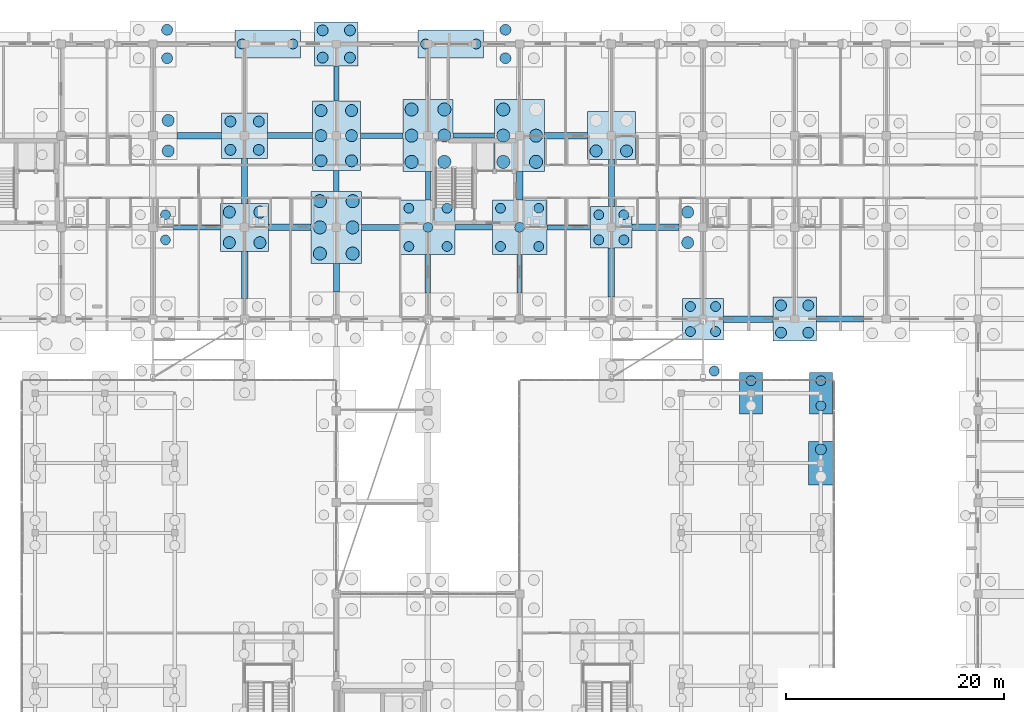
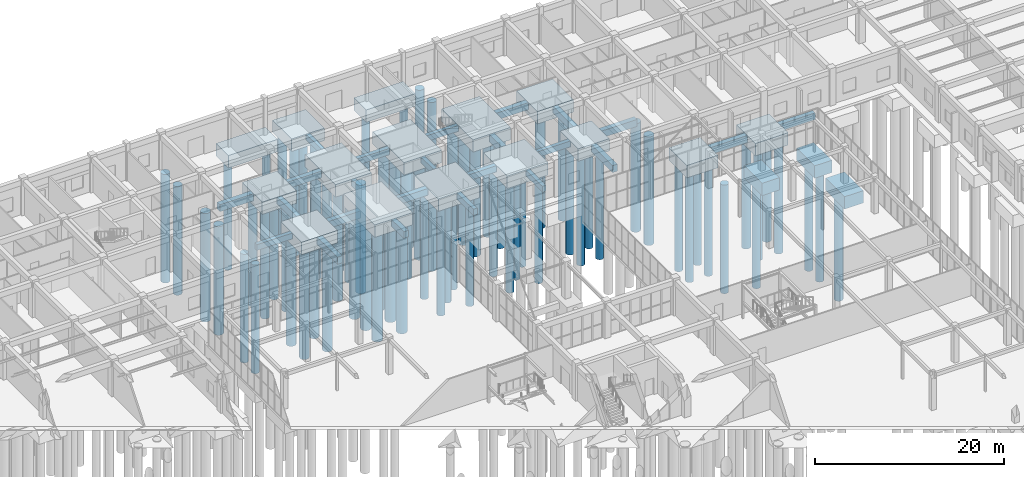
# One storey, part 11 of 192: 78 piles, 42 footings.
"""IFC4 building model written with IfcOpenShell, lengths in metres."""

import ifcopenshell
import ifcopenshell.guid

model = None  # the IFC model being written
_history = None  # IfcOwnerHistory: only IFC2X3 demands one
_inside = {}  # id of a spatial element -> (the spatial element, [elements in it])
_under = {}  # id of a project, library or spatial element -> (it, [spatial elements below it])
_declared = {}  # id of a project -> (the project, [libraries it declares])
_typed = {}  # id of a type object -> (the type object, [elements of that type])
_made_of = {}  # id of a material, layer set ... -> (it, [elements and type objects made of it])


def new_model(schema):
    """Start an empty IFC model of exactly this schema.

    Asked for "IFC4X3", IfcOpenShell would pick the latest addendum, in which some entities
    have other attributes; the version numbers below select the first issue.
    IFC2X3 requires an IfcOwnerHistory on every rooted entity: one is made here for all.
    """
    global model, _history
    if schema == "IFC4X3":
        model = ifcopenshell.file(schema_version=(4, 3, 0, 0))
    else:
        model = ifcopenshell.file(schema=schema)
    _inside.clear()
    _under.clear()
    _declared.clear()
    _typed.clear()
    _made_of.clear()
    _history = None
    if model.schema == "IFC2X3":
        org = make("IfcOrganization", Name="unknown")
        user = make(
            "IfcPersonAndOrganization",
            ThePerson=make("IfcPerson", FamilyName="unknown"),
            TheOrganization=org,
        )
        app = make(
            "IfcApplication",
            ApplicationDeveloper=org,
            Version="unknown",
            ApplicationFullName="unknown",
            ApplicationIdentifier="unknown",
        )
        _history = make(
            "IfcOwnerHistory",
            OwningUser=user,
            OwningApplication=app,
            ChangeAction="ADDED",
            CreationDate=0,
        )
    return model


def make(cls, **values):
    """One entity of the class cls with the attributes given. An attribute that is None is left unset."""
    return model.create_entity(
        cls, **{name: value for name, value in values.items() if value is not None}
    )


def rooted(cls, **values):
    """An entity with a GlobalId (a new one), such as an element, a storey or a relation."""
    return make(cls, GlobalId=ifcopenshell.guid.new(), OwnerHistory=_history, **values)


def si_unit(unit_type, name, prefix=None):
    """IfcSIUnit, for example si_unit("LENGTHUNIT", "METRE", prefix="MILLI")."""
    return make("IfcSIUnit", UnitType=unit_type, Prefix=prefix, Name=name)


def assignment(units):
    """IfcUnitAssignment: the units of a project."""
    return None if units is None else make("IfcUnitAssignment", Units=units)


def point(xyz):
    """IfcCartesianPoint."""
    return None if xyz is None else make("IfcCartesianPoint", Coordinates=xyz)


def direction(xyz):
    """IfcDirection."""
    return None if xyz is None else make("IfcDirection", DirectionRatios=xyz)


def frame(location, z_axis=None, x_axis=None):
    """IfcAxis2Placement3D, a coordinate frame: its origin and axes. An axis left out is left unset."""
    return make(
        "IfcAxis2Placement3D",
        Location=point(location),
        Axis=direction(z_axis),
        RefDirection=direction(x_axis),
    )


def frame_2d(location, x_axis=None):
    """IfcAxis2Placement2D, a coordinate frame in the plane: its origin and x axis."""
    return make(
        "IfcAxis2Placement2D", Location=point(location), RefDirection=direction(x_axis)
    )


def origin():
    """The frame at (0, 0, 0) with its axes left unset."""
    return frame((0.0, 0.0, 0.0))


def origin_2d():
    """The frame at (0, 0) in the plane with its x axis left unset."""
    return frame_2d((0.0, 0.0))


def place(relative_to, where):
    """IfcLocalPlacement: puts the frame where relative to a parent placement (None: the world)."""
    return make(
        "IfcLocalPlacement", PlacementRelTo=relative_to, RelativePlacement=where
    )


def context(
    kind, dimensions, precision=None, world=None, true_north=None, identifier=None
):
    """IfcGeometricRepresentationContext, for example the 3D "Model" context."""
    return make(
        "IfcGeometricRepresentationContext",
        ContextIdentifier=identifier,
        ContextType=kind,
        CoordinateSpaceDimension=dimensions,
        Precision=precision,
        WorldCoordinateSystem=world,
        TrueNorth=true_north,
    )


def subcontext(parent, identifier, kind, view, scale=None):
    """IfcGeometricRepresentationSubContext, for example "Body" below "Model"."""
    return make(
        "IfcGeometricRepresentationSubContext",
        ContextIdentifier=identifier,
        ContextType=kind,
        ParentContext=parent,
        TargetScale=scale,
        TargetView=view,
    )


def project(units=None, contexts=None):
    """IfcProject with its units and contexts."""
    return rooted(
        "IfcProject",
        Name="project",
        RepresentationContexts=contexts,
        UnitsInContext=assignment(units),
    )


def spatial(cls, under=None, at=None, **own):
    """A site, building, storey or space (cls), placed at a placement, below another one or the project."""
    s = rooted(cls, ObjectPlacement=at, **own)
    if under is not None:
        _under.setdefault(under.id(), (under, []))[1].append(s)
    return s


def profile(cls, at=None, kind="AREA", **sizes):
    """A parametric profile (cls). Its sizes go by their IFC names, for example OverallWidth=200.0."""
    return make(cls, ProfileType=kind, Position=at, **sizes)


def rectangle(**sizes):
    """IfcRectangleProfileDef."""
    return profile("IfcRectangleProfileDef", **sizes)


def circle(**sizes):
    """IfcCircleProfileDef."""
    return profile("IfcCircleProfileDef", **sizes)


def extrude(swept, where, along, depth):
    """IfcExtrudedAreaSolid: the profile swept, set in the frame where, extruded along a direction by depth."""
    return make(
        "IfcExtrudedAreaSolid",
        SweptArea=swept,
        Position=where,
        ExtrudedDirection=direction(along),
        Depth=depth,
    )


def shape(context_of_items, identifier, shape_type, items):
    """IfcShapeRepresentation: the items that make up one representation, for example the "Body"."""
    return make(
        "IfcShapeRepresentation",
        ContextOfItems=context_of_items,
        RepresentationIdentifier=identifier,
        RepresentationType=shape_type,
        Items=items,
    )


def material(Name=None, Category=None):
    """IfcMaterial."""
    return make("IfcMaterial", Name=Name, Category=Category)


def layer(
    of_material, thickness, ventilated=None, Name=None, Category=None, Priority=None
):
    """IfcMaterialLayer: one layer of a wall or slab, of a material (None: an air gap)."""
    return make(
        "IfcMaterialLayer",
        Material=of_material,
        LayerThickness=thickness,
        IsVentilated=ventilated,
        Name=Name,
        Category=Category,
        Priority=Priority,
    )


def layer_set(layers, Name=None):
    """IfcMaterialLayerSet."""
    return make("IfcMaterialLayerSet", MaterialLayers=layers, LayerSetName=Name)


def material_profile(
    of_material, cross_section, Name=None, Category=None, Priority=None
):
    """IfcMaterialProfile: a cross section and its material."""
    return make(
        "IfcMaterialProfile",
        Name=Name,
        Material=of_material,
        Profile=cross_section,
        Priority=Priority,
        Category=Category,
    )


def profile_set(profiles, Name=None, composite=None):
    """IfcMaterialProfileSet."""
    return make(
        "IfcMaterialProfileSet",
        Name=Name,
        MaterialProfiles=profiles,
        CompositeProfile=composite,
    )


def made_of(thing, what):
    """Note that an element or type object is made of a material, layer set ...; save() writes the relation."""
    if what is not None:
        _made_of.setdefault(what.id(), (what, []))[1].append(thing)
    return thing


def type_object(cls, material=None, **own):
    """A type object (cls), such as IfcWallType, which elements share."""
    return made_of(rooted(cls, **own), material)


def element(
    cls,
    number,
    at=None,
    inside=None,
    cuts=None,
    type_object=None,
    material=None,
    context=None,
    identifier="Body",
    shape_type=None,
    held_by="IfcProductDefinitionShape",
    body=None,
    shapes=None,
    **own,
):
    """One element of the class cls, such as IfcWall. Its Tag is "e" and its number.

    at: its placement. inside: the storey or other place that contains it. cuts: it is an
    opening in that element (IfcRelVoidsElement). A single representation is given by context,
    identifier, shape_type and body (its items); several are given by shapes. held_by: the class
    of the entity that holds the representations. save() writes the other relations.
    """
    e = rooted(cls, Tag="e%d" % number, ObjectPlacement=at, **own)
    if body is not None:
        shapes = [shape(context, identifier, shape_type, body)]
    if shapes is not None:
        e.Representation = make(held_by, Representations=shapes)
    if inside is not None:
        _inside.setdefault(inside.id(), (inside, []))[1].append(e)
    if cuts is not None:
        rooted(
            "IfcRelVoidsElement", RelatingBuildingElement=cuts, RelatedOpeningElement=e
        )
    if type_object is not None:
        _typed.setdefault(type_object.id(), (type_object, []))[1].append(e)
    return made_of(e, material)


def aggregate(whole, parts):
    """IfcRelAggregates: a whole, such as a stair, and the parts it consists of."""
    return rooted("IfcRelAggregates", RelatingObject=whole, RelatedObjects=parts)


def save(model, path):
    """Write the relations noted so far, then the file.

    IfcRelAggregates (storeys below a building ...), IfcRelContainedInSpatialStructure (elements
    in a storey), IfcRelDefinesByType, IfcRelAssociatesMaterial and IfcRelDeclares: one each for
    every whole, place, type object, material and project.
    """
    for whole, parts in _under.values():
        aggregate(whole, parts)
    for where, things in _inside.values():
        rooted(
            "IfcRelContainedInSpatialStructure",
            RelatedElements=things,
            RelatingStructure=where,
        )
    for kind, things in _typed.values():
        rooted("IfcRelDefinesByType", RelatedObjects=things, RelatingType=kind)
    for what, things in _made_of.values():
        rooted("IfcRelAssociatesMaterial", RelatedObjects=things, RelatingMaterial=what)
    for by, libraries in _declared.values():
        rooted("IfcRelDeclares", RelatingContext=by, RelatedDefinitions=libraries)
    model.write(path)


model = new_model("IFC4")

# Units and contexts
model_context = context("Model", 3, precision=1e-05, world=origin(), true_north=direction((0.0, 1.0)))
body_context = subcontext(model_context, "Body", "Model", "MODEL_VIEW")
ifc_project = project(units=[si_unit("LENGTHUNIT", "METRE"), si_unit("AREAUNIT", "SQUARE_METRE"), si_unit("VOLUMEUNIT", "CUBIC_METRE"), si_unit("PLANEANGLEUNIT", "RADIAN"), si_unit("MASSUNIT", "GRAM", prefix="KILO")], contexts=[model_context])

# Site, building, storey
site_placement = place(None, origin())
site = spatial("IfcSite", under=ifc_project, at=site_placement, CompositionType="ELEMENT")
building_placement = place(site_placement, origin())
building = spatial("IfcBuilding", under=site, at=building_placement, Name="Trelvath General Hospital", CompositionType="ELEMENT")
storey_placement = place(building_placement, origin())
storey = spatial("IfcBuildingStorey", under=building, at=storey_placement, Name="L00", CompositionType="ELEMENT", Elevation=0.0)

# Piles
ifc_material_1 = material(Name="Concrete C35/45", Category="concrete")
ifc_material_profile_1 = material_profile(ifc_material_1, circle(Radius=0.5, at=origin_2d()), Name="PILE1000")
ifc_profile_set_1 = profile_set([ifc_material_profile_1], Name="Concrete C35/45")
pile_type_1 = type_object("IfcPileType", Name="BoredPile D1000", PredefinedType="BORED", material=ifc_profile_set_1)
for number, where, z_axis, x_axis, name in (
    (1, (60.10009765625, 116.300048828125, -1.800048828125), (0.0, 0.0, -1.0), (1.0, 0.0, 0.0), "Bored Pile P-0465"),
    (2, (60.10009765625, 118.89990234375, -1.800048828125), (0.0, 0.0, -1.0), (1.0, 0.0, 0.0), "Bored Pile P-0467"),
    (3, (65.89990234375, 107.89990234375, -1.800048828125), (0.0, 0.0, -1.0), (1.0, 0.0, 0.0), "Bored Pile P-0508"),
    (4, (68.5, 107.89990234375, -1.800048828125), (0.0, 0.0, -1.0), (1.0, 0.0, 0.0), "Bored Pile P-0509"),
    (5, (65.89990234375, 110.5, -1.800048828125), (0.0, 0.0, -1.0), (1.0, 0.0, 0.0), "Bored Pile P-0510"),
    (6, (68.5, 110.5, -1.800048828125), (0.0, 0.0, -1.0), (1.0, 0.0, 0.0), "Bored Pile P-0511"),
    (7, (74.35009765625, 116.35009765625, -1.800048828125), (0.0, 0.0, -1.0), (1.0, 0.0, 0.0), "Bored Pile P-0578"),
    (8, (76.85009765625, 116.35009765625, -1.800048828125), (0.0, 0.0, -1.0), (1.0, 0.0, 0.0), "Bored Pile P-0579"),
    (9, (74.35009765625, 118.85009765625, -1.800048828125), (0.0, 0.0, -1.0), (1.0, 0.0, 0.0), "Bored Pile P-0580"),
    (10, (76.85009765625, 118.85009765625, -1.800048828125), (0.0, 0.0, -1.0), (1.0, 0.0, 0.0), "Bored Pile P-0581"),
    (11, (91.10009765625, 116.300048828125, -1.800048828125), (0.0, 0.0, -1.0), (1.0, 0.0, 0.0), "Bored Pile P-0697"),
    (12, (91.10009765625, 118.89990234375, -1.800048828125), (0.0, 0.0, -1.0), (1.0, 0.0, 0.0), "Bored Pile P-0699"),
    (13, (116.35009765625, 91.14990234375, -1.800048828125), (0.0, 0.0, -1.0), (1.0, 0.0, 0.0), "Bored Pile P-0822"),
    (14, (118.85009765625, 91.14990234375, -1.800048828125), (0.0, 0.0, -1.0), (1.0, 0.0, 0.0), "Bored Pile P-0823"),
    (15, (116.35009765625, 93.64990234375, -1.800048828125), (0.0, 0.0, -1.0), (1.0, 0.0, 0.0), "Bored Pile P-0824"),
    (16, (118.85009765625, 93.64990234375, -1.800048828125), (0.0, 0.0, -1.0), (1.0, 0.0, 0.0), "Bored Pile P-0825"),
    (17, (120.0, 80.449951171875, -1.800048828125), (0.0, 0.0, -1.0), (1.0, 0.0, 0.0), "Bored Pile P-0847"),
):
    element("IfcPile", number, at=place(storey_placement, frame(where, z_axis=z_axis, x_axis=x_axis)), inside=storey, type_object=pile_type_1, Name=name, PredefinedType="BORED", context=body_context, shape_type="SweptSolid", body=[
        extrude(circle(Radius=0.5, at=origin_2d()), origin(), (0.0, 0.0, 1.0), 14.0),
    ])
ifc_material_2 = material(Name="Concrete C35/45", Category="concrete")
ifc_material_profile_2 = material_profile(ifc_material_2, circle(Radius=0.550048828125, at=origin_2d()), Name="PILE1100")
ifc_profile_set_2 = profile_set([ifc_material_profile_2], Name="Concrete C35/45")
pile_type_2 = type_object("IfcPileType", Name="BoredPile D1100", PredefinedType="BORED", material=ifc_profile_set_2)
for number, where, z_axis, x_axis, name in (
    (18, (60.199951171875, 107.800048828125, -1.800048828125), (0.0, 0.0, -1.0), (1.0, 0.0, 0.0), "Bored Pile P-0461"),
    (19, (60.199951171875, 110.60009765625, -1.800048828125), (0.0, 0.0, -1.0), (1.0, 0.0, 0.0), "Bored Pile P-0463"),
    (20, (65.800048828125, 99.39990234375, -1.800048828125), (0.0, 0.0, -1.0), (1.0, 0.0, 0.0), "Bored Pile P-0504"),
    (21, (68.60009765625, 99.39990234375, -1.800048828125), (0.0, 0.0, -1.0), (1.0, 0.0, 0.0), "Bored Pile P-0505"),
    (22, (65.800048828125, 102.199951171875, -1.800048828125), (0.0, 0.0, -1.0), (1.0, 0.0, 0.0), "Bored Pile P-0506"),
    (23, (68.60009765625, 102.199951171875, -1.800048828125), (0.0, 0.0, -1.0), (1.0, 0.0, 0.0), "Bored Pile P-0507"),
    (24, (74.199951171875, 106.89990234375, -1.800048828125), (0.0, 0.0, -1.0), (1.0, 0.0, 0.0), "Bored Pile P-0572"),
    (25, (77.0, 106.89990234375, -1.800048828125), (0.0, 0.0, -1.0), (1.0, 0.0, 0.0), "Bored Pile P-0573"),
    (26, (74.199951171875, 109.199951171875, -1.800048828125), (0.0, 0.0, -1.0), (1.0, 0.0, 0.0), "Bored Pile P-0574"),
    (27, (77.0, 109.199951171875, -1.800048828125), (0.0, 0.0, -1.0), (1.0, 0.0, 0.0), "Bored Pile P-0575"),
    (28, (74.199951171875, 111.5, -1.800048828125), (0.0, 0.0, -1.0), (1.0, 0.0, 0.0), "Bored Pile P-0576"),
    (29, (77.0, 111.5, -1.800048828125), (0.0, 0.0, -1.0), (1.0, 0.0, 0.0), "Bored Pile P-0577"),
    (30, (99.39990234375, 107.800048828125, -1.800048828125), (0.0, 0.0, -1.0), (1.0, 0.0, 0.0), "Bored Pile P-0734"),
    (31, (102.199951171875, 107.800048828125, -1.800048828125), (0.0, 0.0, -1.0), (1.0, 0.0, 0.0), "Bored Pile P-0735"),
    (32, (107.800048828125, 99.39990234375, -1.800048828125), (0.0, 0.0, -1.0), (1.0, 0.0, 0.0), "Bored Pile P-0782"),
    (33, (107.800048828125, 102.199951171875, -1.800048828125), (0.0, 0.0, -1.0), (1.0, 0.0, 0.0), "Bored Pile P-0784"),
):
    element("IfcPile", number, at=place(storey_placement, frame(where, z_axis=z_axis, x_axis=x_axis)), inside=storey, type_object=pile_type_2, Name=name, PredefinedType="BORED", context=body_context, shape_type="SweptSolid", body=[
        extrude(circle(Radius=0.550048828125, at=origin_2d()), origin(), (0.0, 0.0, 1.0), 14.0),
    ])
ifc_material_3 = material(Name="Concrete C35/45", Category="concrete")
ifc_material_profile_3 = material_profile(ifc_material_3, circle(Radius=0.60009765625, at=origin_2d()), Name="PILE1200")
ifc_profile_set_3 = profile_set([ifc_material_profile_3], Name="Concrete C35/45")
pile_type_3 = type_object("IfcPileType", Name="BoredPile D1200", PredefinedType="BORED", material=ifc_profile_set_3)
for number, where, z_axis, x_axis, name in (
    (34, (74.10009765625, 98.39990234375, -1.800048828125), (0.0, 0.0, -1.0), (1.0, 0.0, 0.0), "Bored Pile P-0566"),
    (35, (77.10009765625, 98.39990234375, -1.800048828125), (0.0, 0.0, -1.0), (1.0, 0.0, 0.0), "Bored Pile P-0567"),
    (36, (74.10009765625, 100.800048828125, -1.800048828125), (0.0, 0.0, -1.0), (1.0, 0.0, 0.0), "Bored Pile P-0568"),
    (37, (77.10009765625, 100.800048828125, -1.800048828125), (0.0, 0.0, -1.0), (1.0, 0.0, 0.0), "Bored Pile P-0569"),
    (38, (74.10009765625, 103.199951171875, -1.800048828125), (0.0, 0.0, -1.0), (1.0, 0.0, 0.0), "Bored Pile P-0570"),
    (39, (77.10009765625, 103.199951171875, -1.800048828125), (0.0, 0.0, -1.0), (1.0, 0.0, 0.0), "Bored Pile P-0571"),
    (40, (82.5, 106.800048828125, -1.800048828125), (0.0, 0.0, -1.0), (1.0, 0.0, 0.0), "Bored Pile P-0637"),
    (41, (85.5, 106.800048828125, -1.800048828125), (0.0, 0.0, -1.0), (1.0, 0.0, 0.0), "Bored Pile P-0638"),
    (42, (82.5, 109.199951171875, -1.800048828125), (0.0, 0.0, -1.0), (1.0, 0.0, 0.0), "Bored Pile P-0639"),
    (43, (85.5, 109.199951171875, -1.800048828125), (0.0, 0.0, -1.0), (1.0, 0.0, 0.0), "Bored Pile P-0640"),
    (44, (82.5, 111.60009765625, -1.800048828125), (0.0, 0.0, -1.0), (1.0, 0.0, 0.0), "Bored Pile P-0641"),
    (45, (85.5, 111.60009765625, -1.800048828125), (0.0, 0.0, -1.0), (1.0, 0.0, 0.0), "Bored Pile P-0642"),
    (46, (90.89990234375, 106.800048828125, -1.800048828125), (0.0, 0.0, -1.0), (1.0, 0.0, 0.0), "Bored Pile P-0691"),
    (47, (93.89990234375, 106.800048828125, -1.800048828125), (0.0, 0.0, -1.0), (1.0, 0.0, 0.0), "Bored Pile P-0692"),
    (48, (90.89990234375, 109.199951171875, -1.800048828125), (0.0, 0.0, -1.0), (1.0, 0.0, 0.0), "Bored Pile P-0693"),
    (49, (93.89990234375, 109.199951171875, -1.800048828125), (0.0, 0.0, -1.0), (1.0, 0.0, 0.0), "Bored Pile P-0694"),
    (50, (90.89990234375, 111.60009765625, -1.800048828125), (0.0, 0.0, -1.0), (1.0, 0.0, 0.0), "Bored Pile P-0695"),
):
    element("IfcPile", number, at=place(storey_placement, frame(where, z_axis=z_axis, x_axis=x_axis)), inside=storey, type_object=pile_type_3, Name=name, PredefinedType="BORED", context=body_context, shape_type="SweptSolid", body=[
        extrude(circle(Radius=0.60009765625, at=origin_2d()), origin(), (0.0, 0.0, 1.0), 14.0),
    ])
ifc_material_4 = material(Name="Concrete C35/45", Category="concrete")
ifc_material_profile_4 = material_profile(ifc_material_4, circle(Radius=0.449951171875, at=origin_2d()), Name="PILE900")
ifc_profile_set_4 = profile_set([ifc_material_profile_4], Name="Concrete C35/45")
pile_type_4 = type_object("IfcPileType", Name="BoredPile D900", PredefinedType="BORED", material=ifc_profile_set_4)
for number, where, z_axis, x_axis, name in (
    (51, (59.949951171875, 99.64990234375, -1.800048828125), (0.0, 0.0, -1.0), (1.0, 0.0, 0.0), "Bored Pile P-0457"),
    (52, (59.949951171875, 101.949951171875, -1.800048828125), (0.0, 0.0, -1.0), (1.0, 0.0, 0.0), "Bored Pile P-0459"),
    (53, (66.969970703125, 117.60009765625, -1.800048828125), (0.0, 0.0, -1.0), (1.0, 0.0, 0.0), "Bored Pile P-0512"),
    (54, (71.6298828125, 117.60009765625, -1.800048828125), (0.0, 0.0, -1.0), (1.0, 0.0, 0.0), "Bored Pile P-0513"),
    (55, (82.25, 99.050048828125, -1.800048828125), (0.0, 0.0, -1.0), (1.0, 0.0, 0.0), "Bored Pile P-0632"),
    (56, (85.75, 99.050048828125, -1.800048828125), (0.0, 0.0, -1.0), (1.0, 0.0, 0.0), "Bored Pile P-0633"),
    (57, (84.0, 100.800048828125, -1.800048828125), (0.0, 0.0, -1.0), (1.0, 0.0, 0.0), "Bored Pile P-0634"),
    (58, (82.25, 102.550048828125, -1.800048828125), (0.0, 0.0, -1.0), (1.0, 0.0, 0.0), "Bored Pile P-0635"),
    (59, (85.75, 102.550048828125, -1.800048828125), (0.0, 0.0, -1.0), (1.0, 0.0, 0.0), "Bored Pile P-0636"),
    (60, (83.77001953125, 117.60009765625, -1.800048828125), (0.0, 0.0, -1.0), (1.0, 0.0, 0.0), "Bored Pile P-0643"),
    (61, (88.429931640625, 117.60009765625, -1.800048828125), (0.0, 0.0, -1.0), (1.0, 0.0, 0.0), "Bored Pile P-0644"),
    (62, (90.64990234375, 99.050048828125, -1.800048828125), (0.0, 0.0, -1.0), (1.0, 0.0, 0.0), "Bored Pile P-0686"),
    (63, (94.14990234375, 99.050048828125, -1.800048828125), (0.0, 0.0, -1.0), (1.0, 0.0, 0.0), "Bored Pile P-0687"),
    (64, (92.39990234375, 100.800048828125, -1.800048828125), (0.0, 0.0, -1.0), (1.0, 0.0, 0.0), "Bored Pile P-0688"),
    (65, (90.64990234375, 102.550048828125, -1.800048828125), (0.0, 0.0, -1.0), (1.0, 0.0, 0.0), "Bored Pile P-0689"),
    (66, (94.14990234375, 102.550048828125, -1.800048828125), (0.0, 0.0, -1.0), (1.0, 0.0, 0.0), "Bored Pile P-0690"),
    (67, (99.64990234375, 99.64990234375, -1.800048828125), (0.0, 0.0, -1.0), (1.0, 0.0, 0.0), "Bored Pile P-0730"),
    (68, (101.949951171875, 99.64990234375, -1.800048828125), (0.0, 0.0, -1.0), (1.0, 0.0, 0.0), "Bored Pile P-0731"),
    (69, (99.64990234375, 101.949951171875, -1.800048828125), (0.0, 0.0, -1.0), (1.0, 0.0, 0.0), "Bored Pile P-0732"),
    (70, (101.949951171875, 101.949951171875, -1.800048828125), (0.0, 0.0, -1.0), (1.0, 0.0, 0.0), "Bored Pile P-0733"),
    (71, (110.22998046875, 87.6298828125, -1.800048828125), (0.0, 0.0, -1.0), (1.0, 0.0, 0.0), "Bored Pile P-0761"),
    (72, (108.050048828125, 91.25, -1.800048828125), (0.0, 0.0, -1.0), (1.0, 0.0, 0.0), "Bored Pile P-0778"),
    (73, (110.35009765625, 91.25, -1.800048828125), (0.0, 0.0, -1.0), (1.0, 0.0, 0.0), "Bored Pile P-0779"),
    (74, (108.050048828125, 93.550048828125, -1.800048828125), (0.0, 0.0, -1.0), (1.0, 0.0, 0.0), "Bored Pile P-0780"),
    (75, (110.35009765625, 93.550048828125, -1.800048828125), (0.0, 0.0, -1.0), (1.0, 0.0, 0.0), "Bored Pile P-0781"),
    (76, (113.60009765625, 86.75, -1.800048828125), (0.0, 0.0, -1.0), (1.0, 0.0, 0.0), "Bored Pile P-0807"),
    (77, (120.0, 84.449951171875, -1.800048828125), (0.0, 0.0, -1.0), (1.0, 0.0, 0.0), "Bored Pile P-0848"),
    (78, (120.0, 86.75, -1.800048828125), (0.0, 0.0, -1.0), (1.0, 0.0, 0.0), "Bored Pile P-0849"),
):
    element("IfcPile", number, at=place(storey_placement, frame(where, z_axis=z_axis, x_axis=x_axis)), inside=storey, type_object=pile_type_4, Name=name, PredefinedType="BORED", context=body_context, shape_type="SweptSolid", body=[
        extrude(circle(Radius=0.449951171875, at=origin_2d()), origin(), (0.0, 0.0, 1.0), 14.0),
    ])

# Footings
ifc_material_5 = material(Name="Concrete C35/45", Category="concrete")
ifc_layer_1 = layer(ifc_material_5, 1.60009765625)
ifc_layer_set_1 = layer_set([ifc_layer_1], Name="Concrete C35/45")
footing_type_1 = type_object("IfcFootingType", Name="PileCap 2P 210x380", PredefinedType="PILE_CAP", material=ifc_layer_set_1)
for number, where, z_axis, x_axis, name in (
    (79, (113.60009765625, 85.60009765625, -1.900146484375), (0.0, 0.0, 1.0), (1.0, 0.0, 0.0), "Pile Cap PC-218"),
    (80, (120.0, 85.60009765625, -1.900146484375), (0.0, 0.0, 1.0), (1.0, 0.0, 0.0), "Pile Cap PC-233"),
):
    element("IfcFooting", number, at=place(storey_placement, frame(where, z_axis=z_axis, x_axis=x_axis)), inside=storey, type_object=footing_type_1, Name=name, PredefinedType="PILE_CAP", context=body_context, shape_type="SweptSolid", body=[
        extrude(rectangle(XDim=2.10009765625, YDim=3.800048828125, at=origin_2d()), origin(), (0.0, 0.0, 1.0), 1.60009765625),
    ])
ifc_material_6 = material(Name="Concrete C35/45", Category="concrete")
ifc_layer_2 = layer(ifc_material_6, 1.60009765625)
ifc_layer_set_2 = layer_set([ifc_layer_2], Name="Concrete C35/45")
footing_type_2 = type_object("IfcFootingType", Name="PileCap 2P 230x400", PredefinedType="PILE_CAP", material=ifc_layer_set_2)
footing_1_placement = place(storey_placement, frame((120.0, 79.199951171875, -1.900146484375), z_axis=(0.0, 0.0, 1.0), x_axis=(1.0, 0.0, 0.0)))
element("IfcFooting", 81, at=footing_1_placement, inside=storey, type_object=footing_type_2, Name="Pile Cap PC-232", PredefinedType="PILE_CAP", context=body_context, shape_type="SweptSolid", body=[
    extrude(rectangle(XDim=2.300048828125, YDim=4.0, at=origin_2d()), origin(), (0.0, 0.0, 1.0), 1.60009765625),
])
ifc_material_7 = material(Name="Concrete C35/45", Category="concrete")
ifc_layer_3 = layer(ifc_material_7, 1.60009765625)
ifc_layer_set_3 = layer_set([ifc_layer_3], Name="Concrete C35/45")
footing_type_3 = type_object("IfcFootingType", Name="PileCap 4P 380x380", PredefinedType="PILE_CAP", material=ifc_layer_set_3)
for number, where, z_axis, x_axis, name in (
    (82, (100.800048828125, 100.800048828125, -1.900146484375), (0.0, 0.0, 1.0), (1.0, 0.0, 0.0), "Pile Cap PC-192"),
    (83, (109.199951171875, 92.39990234375, -1.900146484375), (0.0, 0.0, 1.0), (1.0, 0.0, 0.0), "Pile Cap PC-208"),
):
    element("IfcFooting", number, at=place(storey_placement, frame(where, z_axis=z_axis, x_axis=x_axis)), inside=storey, type_object=footing_type_3, Name=name, PredefinedType="PILE_CAP", context=body_context, shape_type="SweptSolid", body=[
        extrude(rectangle(XDim=3.800048828125, YDim=3.800048828125, at=origin_2d()), origin(), (0.0, 0.0, 1.0), 1.60009765625),
    ])
ifc_material_8 = material(Name="Concrete C35/45", Category="concrete")
ifc_layer_4 = layer(ifc_material_8, 1.60009765625)
ifc_layer_set_4 = layer_set([ifc_layer_4], Name="Concrete C35/45")
footing_type_4 = type_object("IfcFootingType", Name="PileCap 4P 400x400", PredefinedType="PILE_CAP", material=ifc_layer_set_4)
for number, where, z_axis, x_axis, name in (
    (84, (75.60009765625, 117.60009765625, -1.900146484375), (0.0, 0.0, 1.0), (1.0, 0.0, 0.0), "Pile Cap PC-155"),
    (85, (117.60009765625, 92.39990234375, -1.900146484375), (0.0, 0.0, 1.0), (1.0, 0.0, 0.0), "Pile Cap PC-223"),
):
    element("IfcFooting", number, at=place(storey_placement, frame(where, z_axis=z_axis, x_axis=x_axis)), inside=storey, type_object=footing_type_4, Name=name, PredefinedType="PILE_CAP", context=body_context, shape_type="SweptSolid", body=[
        extrude(rectangle(XDim=4.0, YDim=4.0, at=origin_2d()), origin(), (0.0, 0.0, 1.0), 1.60009765625),
    ])
ifc_material_9 = material(Name="Concrete C35/45", Category="concrete")
ifc_layer_5 = layer(ifc_material_9, 1.60009765625)
ifc_layer_set_5 = layer_set([ifc_layer_5], Name="Concrete C35/45")
footing_type_5 = type_object("IfcFootingType", Name="PileCap 4P 420x420", PredefinedType="PILE_CAP", material=ifc_layer_set_5)
footing_2_placement = place(storey_placement, frame((67.199951171875, 109.199951171875, -1.900146484375), z_axis=(0.0, 0.0, 1.0), x_axis=(1.0, 0.0, 0.0)))
element("IfcFooting", 86, at=footing_2_placement, inside=storey, type_object=footing_type_5, Name="Pile Cap PC-138", PredefinedType="PILE_CAP", context=body_context, shape_type="SweptSolid", body=[
    extrude(rectangle(XDim=4.199951171875, YDim=4.199951171875, at=origin_2d()), origin(), (0.0, 0.0, 1.0), 1.60009765625),
])
ifc_material_10 = material(Name="Concrete C35/45", Category="concrete")
ifc_layer_6 = layer(ifc_material_10, 1.60009765625)
ifc_layer_set_6 = layer_set([ifc_layer_6], Name="Concrete C35/45")
footing_type_6 = type_object("IfcFootingType", Name="PileCap 4P 440x440", PredefinedType="PILE_CAP", material=ifc_layer_set_6)
for number, where, z_axis, x_axis, name in (
    (87, (67.199951171875, 100.800048828125, -1.900146484375), (0.0, 0.0, 1.0), (1.0, 0.0, 0.0), "Pile Cap PC-137"),
    (88, (100.800048828125, 109.199951171875, -1.900146484375), (0.0, 0.0, 1.0), (1.0, 0.0, 0.0), "Pile Cap PC-193"),
):
    element("IfcFooting", number, at=place(storey_placement, frame(where, z_axis=z_axis, x_axis=x_axis)), inside=storey, type_object=footing_type_6, Name=name, PredefinedType="PILE_CAP", context=body_context, shape_type="SweptSolid", body=[
        extrude(rectangle(XDim=4.39990234375, YDim=4.39990234375, at=origin_2d()), origin(), (0.0, 0.0, 1.0), 1.60009765625),
    ])
ifc_material_11 = material(Name="Concrete C35/45", Category="concrete")
ifc_layer_7 = layer(ifc_material_11, 1.60009765625)
ifc_layer_set_7 = layer_set([ifc_layer_7], Name="Concrete C35/45")
footing_type_7 = type_object("IfcFootingType", Name="PileCap 5P 500x500", PredefinedType="PILE_CAP", material=ifc_layer_set_7)
for number, where, z_axis, x_axis, name in (
    (89, (84.0, 100.800048828125, -1.900146484375), (0.0, 0.0, 1.0), (1.0, 0.0, 0.0), "Pile Cap PC-168"),
    (90, (92.39990234375, 100.800048828125, -1.900146484375), (0.0, 0.0, 1.0), (1.0, 0.0, 0.0), "Pile Cap PC-180"),
):
    element("IfcFooting", number, at=place(storey_placement, frame(where, z_axis=z_axis, x_axis=x_axis)), inside=storey, type_object=footing_type_7, Name=name, PredefinedType="PILE_CAP", context=body_context, shape_type="SweptSolid", body=[
        extrude(rectangle(XDim=5.0, YDim=5.0, at=origin_2d()), origin(), (0.0, 0.0, 1.0), 1.60009765625),
    ])
ifc_material_12 = material(Name="Concrete C35/45", Category="concrete")
ifc_layer_8 = layer(ifc_material_12, 1.60009765625)
ifc_layer_set_8 = layer_set([ifc_layer_8], Name="Concrete C35/45")
footing_type_8 = type_object("IfcFootingType", Name="PileCap 6P 440x640", PredefinedType="PILE_CAP", material=ifc_layer_set_8)
footing_3_placement = place(storey_placement, frame((75.60009765625, 109.199951171875, -1.900146484375), z_axis=(0.0, 0.0, 1.0), x_axis=(1.0, 0.0, 0.0)))
element("IfcFooting", 91, at=footing_3_placement, inside=storey, type_object=footing_type_8, Name="Pile Cap PC-154", PredefinedType="PILE_CAP", context=body_context, shape_type="SweptSolid", body=[
    extrude(rectangle(XDim=4.39990234375, YDim=6.39990234375, at=origin_2d()), origin(), (0.0, 0.0, 1.0), 1.60009765625),
])
ifc_material_13 = material(Name="Concrete C35/45", Category="concrete")
ifc_layer_9 = layer(ifc_material_13, 1.60009765625)
ifc_layer_set_9 = layer_set([ifc_layer_9], Name="Concrete C35/45")
footing_type_9 = type_object("IfcFootingType", Name="PileCap 6P 460x660", PredefinedType="PILE_CAP", material=ifc_layer_set_9)
for number, where, z_axis, x_axis, name in (
    (92, (75.60009765625, 100.800048828125, -1.900146484375), (0.0, 0.0, 1.0), (1.0, 0.0, 0.0), "Pile Cap PC-153"),
    (93, (84.0, 109.199951171875, -1.900146484375), (0.0, 0.0, 1.0), (1.0, 0.0, 0.0), "Pile Cap PC-169"),
    (94, (92.39990234375, 109.199951171875, -1.900146484375), (0.0, 0.0, 1.0), (1.0, 0.0, 0.0), "Pile Cap PC-181"),
):
    element("IfcFooting", number, at=place(storey_placement, frame(where, z_axis=z_axis, x_axis=x_axis)), inside=storey, type_object=footing_type_9, Name=name, PredefinedType="PILE_CAP", context=body_context, shape_type="SweptSolid", body=[
        extrude(rectangle(XDim=4.60009765625, YDim=6.60009765625, at=origin_2d()), origin(), (0.0, 0.0, 1.0), 1.60009765625),
    ])
ifc_material_14 = material(Name="Concrete C35/45", Category="concrete")
ifc_layer_10 = layer(ifc_material_14, 1.60009765625)
ifc_layer_set_10 = layer_set([ifc_layer_10], Name="Concrete C35/45")
footing_type_10 = type_object("IfcFootingType", Name="PileCap Comb 600x260", PredefinedType="PILE_CAP", material=ifc_layer_set_10)
for number, where, z_axis, x_axis, name in (
    (95, (69.300048828125, 117.60009765625, -1.900146484375), (0.0, 0.0, 1.0), (1.0, 0.0, 0.0), "Pile Cap PC-139"),
    (96, (86.10009765625, 117.60009765625, -1.900146484375), (0.0, 0.0, 1.0), (1.0, 0.0, 0.0), "Pile Cap PC-170"),
):
    element("IfcFooting", number, at=place(storey_placement, frame(where, z_axis=z_axis, x_axis=x_axis)), inside=storey, type_object=footing_type_10, Name=name, PredefinedType="PILE_CAP", context=body_context, shape_type="SweptSolid", body=[
        extrude(rectangle(XDim=6.0, YDim=2.60009765625, at=origin_2d()), origin(), (0.0, 0.0, 1.0), 1.60009765625),
    ])
ifc_material_15 = material(Name="Concrete C35/45", Category="concrete")
ifc_layer_11 = layer(ifc_material_15, 0.75)
ifc_layer_set_11 = layer_set([ifc_layer_11], Name="Concrete C35/45")
footing_type_11 = type_object("IfcFootingType", Name="TieBeam 450x750", PredefinedType="FOOTING_BEAM", material=ifc_layer_set_11)
footing_4_placement = place(storey_placement, frame((62.85009765625, 100.800048828125, -1.050048828125), z_axis=(0.0, 0.0, 1.0), x_axis=(1.0, 0.0, 0.0)))
element("IfcFooting", 97, at=footing_4_placement, inside=storey, type_object=footing_type_11, Name="Foundation Tie Beam TB-157", PredefinedType="FOOTING_BEAM", context=body_context, shape_type="SweptSolid", body=[
    extrude(rectangle(XDim=4.300048828125, YDim=0.449951171875, at=origin_2d()), origin(), (0.0, 0.0, 1.0), 0.75),
])
footing_5_placement = place(storey_placement, frame((75.60009765625, 114.0, -1.050048828125), z_axis=(0.0, 0.0, 1.0), x_axis=(1.0, 0.0, 0.0)))
element("IfcFooting", 98, at=footing_5_placement, inside=storey, type_object=footing_type_11, Name="Foundation Tie Beam TB-194", PredefinedType="FOOTING_BEAM", context=body_context, shape_type="SweptSolid", body=[
    extrude(rectangle(XDim=0.449951171875, YDim=3.199951171875, at=origin_2d()), origin(), (0.0, 0.0, 1.0), 0.75),
])
footing_6_placement = place(storey_placement, frame((84.0, 104.60009765625, -1.050048828125), z_axis=(0.0, 0.0, 1.0), x_axis=(1.0, 0.0, 0.0)))
element("IfcFooting", 99, at=footing_6_placement, inside=storey, type_object=footing_type_11, Name="Foundation Tie Beam TB-215", PredefinedType="FOOTING_BEAM", context=body_context, shape_type="SweptSolid", body=[
    extrude(rectangle(XDim=0.449951171875, YDim=2.60009765625, at=origin_2d()), origin(), (0.0, 0.0, 1.0), 0.75),
])
footing_7_placement = place(storey_placement, frame((88.199951171875, 109.199951171875, -1.050048828125), z_axis=(0.0, 0.0, 1.0), x_axis=(1.0, 0.0, 0.0)))
element("IfcFooting", 100, at=footing_7_placement, inside=storey, type_object=footing_type_11, Name="Foundation Tie Beam TB-216", PredefinedType="FOOTING_BEAM", context=body_context, shape_type="SweptSolid", body=[
    extrude(rectangle(XDim=3.800048828125, YDim=0.449951171875, at=origin_2d()), origin(), (0.0, 0.0, 1.0), 0.75),
])
footing_8_placement = place(storey_placement, frame((92.39990234375, 96.550048828125, -1.050048828125), z_axis=(0.0, 0.0, 1.0), x_axis=(1.0, 0.0, 0.0)))
element("IfcFooting", 101, at=footing_8_placement, inside=storey, type_object=footing_type_11, Name="Foundation Tie Beam TB-227", PredefinedType="FOOTING_BEAM", context=body_context, shape_type="SweptSolid", body=[
    extrude(rectangle(XDim=0.449951171875, YDim=3.5, at=origin_2d()), origin(), (0.0, 0.0, 1.0), 0.75),
])
footing_9_placement = place(storey_placement, frame((96.89990234375, 100.800048828125, -1.050048828125), z_axis=(0.0, 0.0, 1.0), x_axis=(1.0, 0.0, 0.0)))
element("IfcFooting", 102, at=footing_9_placement, inside=storey, type_object=footing_type_11, Name="Foundation Tie Beam TB-228", PredefinedType="FOOTING_BEAM", context=body_context, shape_type="SweptSolid", body=[
    extrude(rectangle(XDim=4.0, YDim=0.449951171875, at=origin_2d()), origin(), (0.0, 0.0, 1.0), 0.75),
])
ifc_material_16 = material(Name="Concrete C35/45", Category="concrete")
ifc_layer_12 = layer(ifc_material_16, 0.800048828125)
ifc_layer_set_12 = layer_set([ifc_layer_12], Name="Concrete C35/45")
footing_type_12 = type_object("IfcFootingType", Name="TieBeam 500x800", PredefinedType="FOOTING_BEAM", material=ifc_layer_set_12)
footing_10_placement = place(storey_placement, frame((75.60009765625, 105.050048828125, -1.10009765625), z_axis=(0.0, 0.0, 1.0), x_axis=(1.0, 0.0, 0.0)))
element("IfcFooting", 103, at=footing_10_placement, inside=storey, type_object=footing_type_12, Name="Foundation Tie Beam TB-192", PredefinedType="FOOTING_BEAM", context=body_context, shape_type="SweptSolid", body=[
    extrude(rectangle(XDim=0.5, YDim=1.89990234375, at=origin_2d()), origin(), (0.0, 0.0, 1.0), 0.800048828125),
])
footing_11_placement = place(storey_placement, frame((79.75, 109.199951171875, -1.10009765625), z_axis=(0.0, 0.0, 1.0), x_axis=(1.0, 0.0, 0.0)))
element("IfcFooting", 104, at=footing_11_placement, inside=storey, type_object=footing_type_12, Name="Foundation Tie Beam TB-193", PredefinedType="FOOTING_BEAM", context=body_context, shape_type="SweptSolid", body=[
    extrude(rectangle(XDim=3.89990234375, YDim=0.5, at=origin_2d()), origin(), (0.0, 0.0, 1.0), 0.800048828125),
])
footing_12_placement = place(storey_placement, frame((84.0, 96.550048828125, -1.10009765625), z_axis=(0.0, 0.0, 1.0), x_axis=(1.0, 0.0, 0.0)))
element("IfcFooting", 105, at=footing_12_placement, inside=storey, type_object=footing_type_12, Name="Foundation Tie Beam TB-213", PredefinedType="FOOTING_BEAM", context=body_context, shape_type="SweptSolid", body=[
    extrude(rectangle(XDim=0.5, YDim=3.5, at=origin_2d()), origin(), (0.0, 0.0, 1.0), 0.800048828125),
])
footing_13_placement = place(storey_placement, frame((88.199951171875, 100.800048828125, -1.10009765625), z_axis=(0.0, 0.0, 1.0), x_axis=(1.0, 0.0, 0.0)))
element("IfcFooting", 106, at=footing_13_placement, inside=storey, type_object=footing_type_12, Name="Foundation Tie Beam TB-214", PredefinedType="FOOTING_BEAM", context=body_context, shape_type="SweptSolid", body=[
    extrude(rectangle(XDim=3.39990234375, YDim=0.5, at=origin_2d()), origin(), (0.0, 0.0, 1.0), 0.800048828125),
])
ifc_material_17 = material(Name="Concrete C35/45", Category="concrete")
ifc_layer_13 = layer(ifc_material_17, 0.85009765625)
ifc_layer_set_13 = layer_set([ifc_layer_13], Name="Concrete C35/45")
footing_type_13 = type_object("IfcFootingType", Name="TieBeam 550x850", PredefinedType="FOOTING_BEAM", material=ifc_layer_set_13)
footing_14_placement = place(storey_placement, frame((67.199951171875, 105.050048828125, -1.150146484375), z_axis=(0.0, 0.0, 1.0), x_axis=(1.0, 0.0, 0.0)))
element("IfcFooting", 107, at=footing_14_placement, inside=storey, type_object=footing_type_13, Name="Foundation Tie Beam TB-169", PredefinedType="FOOTING_BEAM", context=body_context, shape_type="SweptSolid", body=[
    extrude(rectangle(XDim=0.550048828125, YDim=4.10009765625, at=origin_2d()), origin(), (0.0, 0.0, 1.0), 0.85009765625),
])
footing_15_placement = place(storey_placement, frame((71.35009765625, 109.199951171875, -1.150146484375), z_axis=(0.0, 0.0, 1.0), x_axis=(1.0, 0.0, 0.0)))
element("IfcFooting", 108, at=footing_15_placement, inside=storey, type_object=footing_type_13, Name="Foundation Tie Beam TB-170", PredefinedType="FOOTING_BEAM", context=body_context, shape_type="SweptSolid", body=[
    extrude(rectangle(XDim=4.10009765625, YDim=0.550048828125, at=origin_2d()), origin(), (0.0, 0.0, 1.0), 0.85009765625),
])
footing_16_placement = place(storey_placement, frame((75.60009765625, 96.199951171875, -1.150146484375), z_axis=(0.0, 0.0, 1.0), x_axis=(1.0, 0.0, 0.0)))
element("IfcFooting", 109, at=footing_16_placement, inside=storey, type_object=footing_type_13, Name="Foundation Tie Beam TB-190", PredefinedType="FOOTING_BEAM", context=body_context, shape_type="SweptSolid", body=[
    extrude(rectangle(XDim=0.550048828125, YDim=2.60009765625, at=origin_2d()), origin(), (0.0, 0.0, 1.0), 0.85009765625),
])
footing_17_placement = place(storey_placement, frame((79.699951171875, 100.800048828125, -1.150146484375), z_axis=(0.0, 0.0, 1.0), x_axis=(1.0, 0.0, 0.0)))
element("IfcFooting", 110, at=footing_17_placement, inside=storey, type_object=footing_type_13, Name="Foundation Tie Beam TB-191", PredefinedType="FOOTING_BEAM", context=body_context, shape_type="SweptSolid", body=[
    extrude(rectangle(XDim=3.60009765625, YDim=0.550048828125, at=origin_2d()), origin(), (0.0, 0.0, 1.0), 0.85009765625),
])
footing_18_placement = place(storey_placement, frame((100.800048828125, 104.85009765625, -1.150146484375), z_axis=(0.0, 0.0, 1.0), x_axis=(1.0, 0.0, 0.0)))
element("IfcFooting", 111, at=footing_18_placement, inside=storey, type_object=footing_type_13, Name="Foundation Tie Beam TB-240", PredefinedType="FOOTING_BEAM", context=body_context, shape_type="SweptSolid", body=[
    extrude(rectangle(XDim=0.550048828125, YDim=4.300048828125, at=origin_2d()), origin(), (0.0, 0.0, 1.0), 0.85009765625),
])
footing_19_placement = place(storey_placement, frame((121.75, 92.39990234375, -1.150146484375), z_axis=(0.0, 0.0, 1.0), x_axis=(1.0, 0.0, 0.0)))
element("IfcFooting", 112, at=footing_19_placement, inside=storey, type_object=footing_type_13, Name="Foundation Tie Beam TB-259", PredefinedType="FOOTING_BEAM", context=body_context, shape_type="SweptSolid", body=[
    extrude(rectangle(XDim=4.300048828125, YDim=0.550048828125, at=origin_2d()), origin(), (0.0, 0.0, 1.0), 0.85009765625),
])
ifc_material_18 = material(Name="Concrete C35/45", Category="concrete")
ifc_layer_14 = layer(ifc_material_18, 0.89990234375)
ifc_layer_set_14 = layer_set([ifc_layer_14], Name="Concrete C35/45")
footing_type_14 = type_object("IfcFootingType", Name="TieBeam 600x900", PredefinedType="FOOTING_BEAM", material=ifc_layer_set_14)
footing_20_placement = place(storey_placement, frame((63.050048828125, 109.199951171875, -1.199951171875), z_axis=(0.0, 0.0, 1.0), x_axis=(1.0, 0.0, 0.0)))
element("IfcFooting", 113, at=footing_20_placement, inside=storey, type_object=footing_type_14, Name="Foundation Tie Beam TB-159", PredefinedType="FOOTING_BEAM", context=body_context, shape_type="SweptSolid", body=[
    extrude(rectangle(XDim=4.10009765625, YDim=0.60009765625, at=origin_2d()), origin(), (0.0, 0.0, 1.0), 0.89990234375),
])
footing_21_placement = place(storey_placement, frame((67.199951171875, 96.449951171875, -1.199951171875), z_axis=(0.0, 0.0, 1.0), x_axis=(1.0, 0.0, 0.0)))
element("IfcFooting", 114, at=footing_21_placement, inside=storey, type_object=footing_type_14, Name="Foundation Tie Beam TB-167", PredefinedType="FOOTING_BEAM", context=body_context, shape_type="SweptSolid", body=[
    extrude(rectangle(XDim=0.60009765625, YDim=4.300048828125, at=origin_2d()), origin(), (0.0, 0.0, 1.0), 0.89990234375),
])
footing_22_placement = place(storey_placement, frame((71.35009765625, 100.800048828125, -1.199951171875), z_axis=(0.0, 0.0, 1.0), x_axis=(1.0, 0.0, 0.0)))
element("IfcFooting", 115, at=footing_22_placement, inside=storey, type_object=footing_type_14, Name="Foundation Tie Beam TB-168", PredefinedType="FOOTING_BEAM", context=body_context, shape_type="SweptSolid", body=[
    extrude(rectangle(XDim=3.89990234375, YDim=0.60009765625, at=origin_2d()), origin(), (0.0, 0.0, 1.0), 0.89990234375),
])
footing_23_placement = place(storey_placement, frame((92.39990234375, 104.60009765625, -1.199951171875), z_axis=(0.0, 0.0, 1.0), x_axis=(1.0, 0.0, 0.0)))
element("IfcFooting", 116, at=footing_23_placement, inside=storey, type_object=footing_type_14, Name="Foundation Tie Beam TB-229", PredefinedType="FOOTING_BEAM", context=body_context, shape_type="SweptSolid", body=[
    extrude(rectangle(XDim=0.60009765625, YDim=2.60009765625, at=origin_2d()), origin(), (0.0, 0.0, 1.0), 0.89990234375),
])
footing_24_placement = place(storey_placement, frame((96.64990234375, 109.199951171875, -1.199951171875), z_axis=(0.0, 0.0, 1.0), x_axis=(1.0, 0.0, 0.0)))
element("IfcFooting", 117, at=footing_24_placement, inside=storey, type_object=footing_type_14, Name="Foundation Tie Beam TB-230", PredefinedType="FOOTING_BEAM", context=body_context, shape_type="SweptSolid", body=[
    extrude(rectangle(XDim=3.89990234375, YDim=0.60009765625, at=origin_2d()), origin(), (0.0, 0.0, 1.0), 0.89990234375),
])
footing_25_placement = place(storey_placement, frame((100.800048828125, 96.64990234375, -1.199951171875), z_axis=(0.0, 0.0, 1.0), x_axis=(1.0, 0.0, 0.0)))
element("IfcFooting", 118, at=footing_25_placement, inside=storey, type_object=footing_type_14, Name="Foundation Tie Beam TB-238", PredefinedType="FOOTING_BEAM", context=body_context, shape_type="SweptSolid", body=[
    extrude(rectangle(XDim=0.60009765625, YDim=4.5, at=origin_2d()), origin(), (0.0, 0.0, 1.0), 0.89990234375),
])
footing_26_placement = place(storey_placement, frame((104.85009765625, 100.800048828125, -1.199951171875), z_axis=(0.0, 0.0, 1.0), x_axis=(1.0, 0.0, 0.0)))
element("IfcFooting", 119, at=footing_26_placement, inside=storey, type_object=footing_type_14, Name="Foundation Tie Beam TB-239", PredefinedType="FOOTING_BEAM", context=body_context, shape_type="SweptSolid", body=[
    extrude(rectangle(XDim=4.300048828125, YDim=0.60009765625, at=origin_2d()), origin(), (0.0, 0.0, 1.0), 0.89990234375),
])
footing_27_placement = place(storey_placement, frame((113.35009765625, 92.39990234375, -1.199951171875), z_axis=(0.0, 0.0, 1.0), x_axis=(1.0, 0.0, 0.0)))
element("IfcFooting", 120, at=footing_27_placement, inside=storey, type_object=footing_type_14, Name="Foundation Tie Beam TB-248", PredefinedType="FOOTING_BEAM", context=body_context, shape_type="SweptSolid", body=[
    extrude(rectangle(XDim=4.5, YDim=0.60009765625, at=origin_2d()), origin(), (0.0, 0.0, 1.0), 0.89990234375),
])

save(model, "model.ifc")
